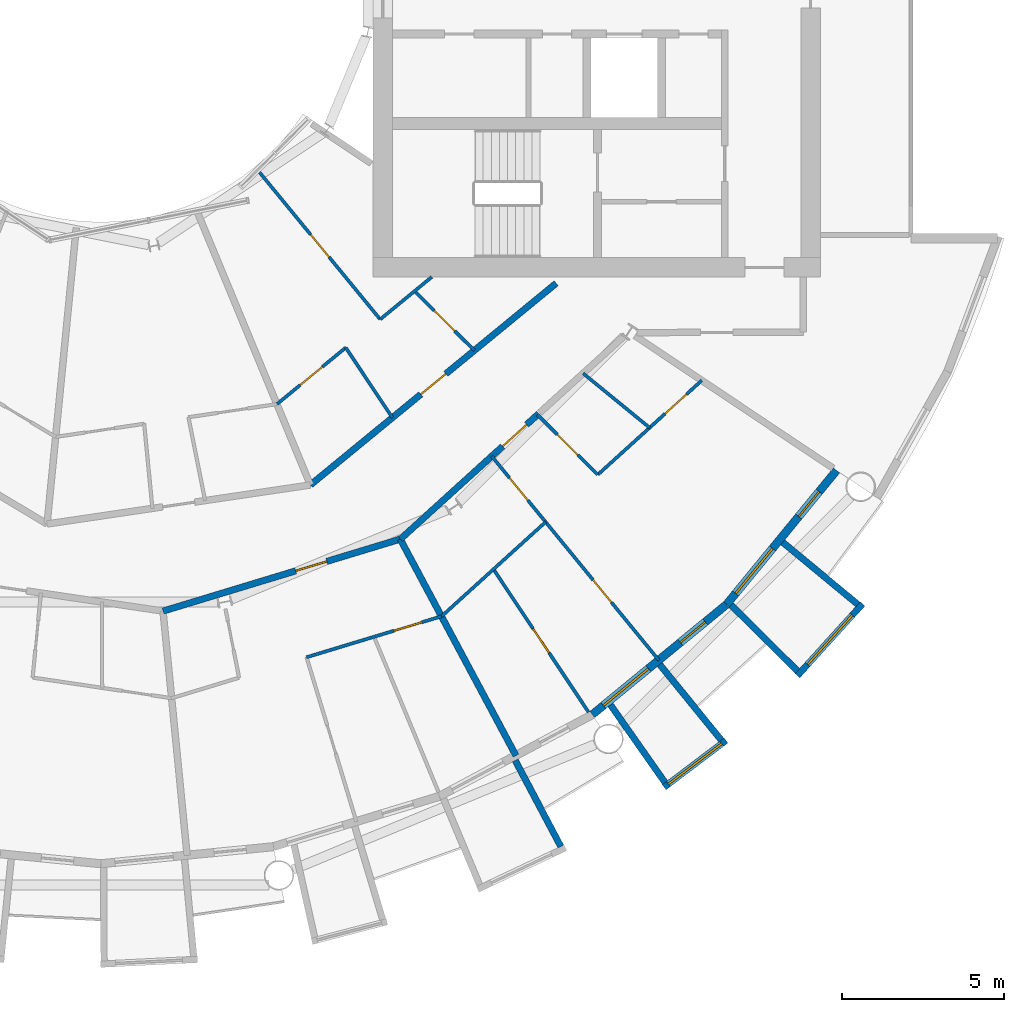
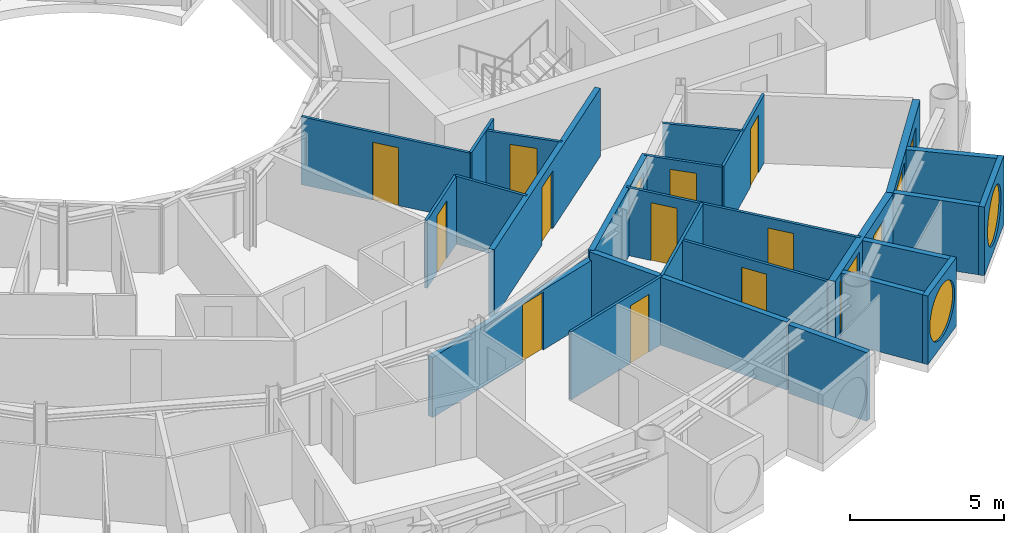
# One storey, part 17 of 28: 25 walls, 14 doors, 4 windows, 18 openings.
"""IFC4 building model written with IfcOpenShell, lengths in metres."""

import ifcopenshell
import ifcopenshell.guid

model = None  # the IFC model being written
_history = None  # IfcOwnerHistory: only IFC2X3 demands one
_inside = {}  # id of a spatial element -> (the spatial element, [elements in it])
_under = {}  # id of a project, library or spatial element -> (it, [spatial elements below it])
_declared = {}  # id of a project -> (the project, [libraries it declares])
_typed = {}  # id of a type object -> (the type object, [elements of that type])
_made_of = {}  # id of a material, layer set ... -> (it, [elements and type objects made of it])


def new_model(schema):
    """Start an empty IFC model of exactly this schema.

    Asked for "IFC4X3", IfcOpenShell would pick the latest addendum, in which some entities
    have other attributes; the version numbers below select the first issue.
    IFC2X3 requires an IfcOwnerHistory on every rooted entity: one is made here for all.
    """
    global model, _history
    if schema == "IFC4X3":
        model = ifcopenshell.file(schema_version=(4, 3, 0, 0))
    else:
        model = ifcopenshell.file(schema=schema)
    _inside.clear()
    _under.clear()
    _declared.clear()
    _typed.clear()
    _made_of.clear()
    _history = None
    if model.schema == "IFC2X3":
        org = make("IfcOrganization", Name="unknown")
        user = make(
            "IfcPersonAndOrganization",
            ThePerson=make("IfcPerson", FamilyName="unknown"),
            TheOrganization=org,
        )
        app = make(
            "IfcApplication",
            ApplicationDeveloper=org,
            Version="unknown",
            ApplicationFullName="unknown",
            ApplicationIdentifier="unknown",
        )
        _history = make(
            "IfcOwnerHistory",
            OwningUser=user,
            OwningApplication=app,
            ChangeAction="ADDED",
            CreationDate=0,
        )
    return model


def make(cls, **values):
    """One entity of the class cls with the attributes given. An attribute that is None is left unset."""
    return model.create_entity(
        cls, **{name: value for name, value in values.items() if value is not None}
    )


def rooted(cls, **values):
    """An entity with a GlobalId (a new one), such as an element, a storey or a relation."""
    return make(cls, GlobalId=ifcopenshell.guid.new(), OwnerHistory=_history, **values)


def si_unit(unit_type, name, prefix=None):
    """IfcSIUnit, for example si_unit("LENGTHUNIT", "METRE", prefix="MILLI")."""
    return make("IfcSIUnit", UnitType=unit_type, Prefix=prefix, Name=name)


def assignment(units):
    """IfcUnitAssignment: the units of a project."""
    return None if units is None else make("IfcUnitAssignment", Units=units)


def point(xyz):
    """IfcCartesianPoint."""
    return None if xyz is None else make("IfcCartesianPoint", Coordinates=xyz)


def direction(xyz):
    """IfcDirection."""
    return None if xyz is None else make("IfcDirection", DirectionRatios=xyz)


def frame(location, z_axis=None, x_axis=None):
    """IfcAxis2Placement3D, a coordinate frame: its origin and axes. An axis left out is left unset."""
    return make(
        "IfcAxis2Placement3D",
        Location=point(location),
        Axis=direction(z_axis),
        RefDirection=direction(x_axis),
    )


def frame_2d(location, x_axis=None):
    """IfcAxis2Placement2D, a coordinate frame in the plane: its origin and x axis."""
    return make(
        "IfcAxis2Placement2D", Location=point(location), RefDirection=direction(x_axis)
    )


def origin():
    """The frame at (0, 0, 0) with its axes left unset."""
    return frame((0.0, 0.0, 0.0))


def place(relative_to, where):
    """IfcLocalPlacement: puts the frame where relative to a parent placement (None: the world)."""
    return make(
        "IfcLocalPlacement", PlacementRelTo=relative_to, RelativePlacement=where
    )


def context(
    kind, dimensions, precision=None, world=None, true_north=None, identifier=None
):
    """IfcGeometricRepresentationContext, for example the 3D "Model" context."""
    return make(
        "IfcGeometricRepresentationContext",
        ContextIdentifier=identifier,
        ContextType=kind,
        CoordinateSpaceDimension=dimensions,
        Precision=precision,
        WorldCoordinateSystem=world,
        TrueNorth=true_north,
    )


def subcontext(parent, identifier, kind, view, scale=None):
    """IfcGeometricRepresentationSubContext, for example "Body" below "Model"."""
    return make(
        "IfcGeometricRepresentationSubContext",
        ContextIdentifier=identifier,
        ContextType=kind,
        ParentContext=parent,
        TargetScale=scale,
        TargetView=view,
    )


def project(units=None, contexts=None):
    """IfcProject with its units and contexts."""
    return rooted(
        "IfcProject",
        Name="project",
        RepresentationContexts=contexts,
        UnitsInContext=assignment(units),
    )


def spatial(cls, under=None, at=None, **own):
    """A site, building, storey or space (cls), placed at a placement, below another one or the project."""
    s = rooted(cls, ObjectPlacement=at, **own)
    if under is not None:
        _under.setdefault(under.id(), (under, []))[1].append(s)
    return s


def profile(cls, at=None, kind="AREA", **sizes):
    """A parametric profile (cls). Its sizes go by their IFC names, for example OverallWidth=200.0."""
    return make(cls, ProfileType=kind, Position=at, **sizes)


def rectangle(**sizes):
    """IfcRectangleProfileDef."""
    return profile("IfcRectangleProfileDef", **sizes)


def circle(**sizes):
    """IfcCircleProfileDef."""
    return profile("IfcCircleProfileDef", **sizes)


def extrude(swept, where, along, depth):
    """IfcExtrudedAreaSolid: the profile swept, set in the frame where, extruded along a direction by depth."""
    return make(
        "IfcExtrudedAreaSolid",
        SweptArea=swept,
        Position=where,
        ExtrudedDirection=direction(along),
        Depth=depth,
    )


def shape(context_of_items, identifier, shape_type, items):
    """IfcShapeRepresentation: the items that make up one representation, for example the "Body"."""
    return make(
        "IfcShapeRepresentation",
        ContextOfItems=context_of_items,
        RepresentationIdentifier=identifier,
        RepresentationType=shape_type,
        Items=items,
    )


def material(Name=None, Category=None):
    """IfcMaterial."""
    return make("IfcMaterial", Name=Name, Category=Category)


def layer(
    of_material, thickness, ventilated=None, Name=None, Category=None, Priority=None
):
    """IfcMaterialLayer: one layer of a wall or slab, of a material (None: an air gap)."""
    return make(
        "IfcMaterialLayer",
        Material=of_material,
        LayerThickness=thickness,
        IsVentilated=ventilated,
        Name=Name,
        Category=Category,
        Priority=Priority,
    )


def layer_set(layers, Name=None):
    """IfcMaterialLayerSet."""
    return make("IfcMaterialLayerSet", MaterialLayers=layers, LayerSetName=Name)


def made_of(thing, what):
    """Note that an element or type object is made of a material, layer set ...; save() writes the relation."""
    if what is not None:
        _made_of.setdefault(what.id(), (what, []))[1].append(thing)
    return thing


def type_object(cls, material=None, **own):
    """A type object (cls), such as IfcWallType, which elements share."""
    return made_of(rooted(cls, **own), material)


def element(
    cls,
    number,
    at=None,
    inside=None,
    cuts=None,
    type_object=None,
    material=None,
    context=None,
    identifier="Body",
    shape_type=None,
    held_by="IfcProductDefinitionShape",
    body=None,
    shapes=None,
    **own,
):
    """One element of the class cls, such as IfcWall. Its Tag is "e" and its number.

    at: its placement. inside: the storey or other place that contains it. cuts: it is an
    opening in that element (IfcRelVoidsElement). A single representation is given by context,
    identifier, shape_type and body (its items); several are given by shapes. held_by: the class
    of the entity that holds the representations. save() writes the other relations.
    """
    e = rooted(cls, Tag="e%d" % number, ObjectPlacement=at, **own)
    if body is not None:
        shapes = [shape(context, identifier, shape_type, body)]
    if shapes is not None:
        e.Representation = make(held_by, Representations=shapes)
    if inside is not None:
        _inside.setdefault(inside.id(), (inside, []))[1].append(e)
    if cuts is not None:
        rooted(
            "IfcRelVoidsElement", RelatingBuildingElement=cuts, RelatedOpeningElement=e
        )
    if type_object is not None:
        _typed.setdefault(type_object.id(), (type_object, []))[1].append(e)
    return made_of(e, material)


def fill(opening, filler):
    """IfcRelFillsElement: the door or window that sits in an opening."""
    return rooted(
        "IfcRelFillsElement",
        RelatingOpeningElement=opening,
        RelatedBuildingElement=filler,
    )


def aggregate(whole, parts):
    """IfcRelAggregates: a whole, such as a stair, and the parts it consists of."""
    return rooted("IfcRelAggregates", RelatingObject=whole, RelatedObjects=parts)


def save(model, path):
    """Write the relations noted so far, then the file.

    IfcRelAggregates (storeys below a building ...), IfcRelContainedInSpatialStructure (elements
    in a storey), IfcRelDefinesByType, IfcRelAssociatesMaterial and IfcRelDeclares: one each for
    every whole, place, type object, material and project.
    """
    for whole, parts in _under.values():
        aggregate(whole, parts)
    for where, things in _inside.values():
        rooted(
            "IfcRelContainedInSpatialStructure",
            RelatedElements=things,
            RelatingStructure=where,
        )
    for kind, things in _typed.values():
        rooted("IfcRelDefinesByType", RelatedObjects=things, RelatingType=kind)
    for what, things in _made_of.values():
        rooted("IfcRelAssociatesMaterial", RelatedObjects=things, RelatingMaterial=what)
    for by, libraries in _declared.values():
        rooted("IfcRelDeclares", RelatingContext=by, RelatedDefinitions=libraries)
    model.write(path)


model = new_model("IFC4")

# Units and contexts
model_context = context("Model", 3, precision=1e-05, world=origin(), true_north=direction((0.0, 1.0)))
body_context = subcontext(model_context, "Body", "Model", "MODEL_VIEW")
ifc_project = project(units=[si_unit("LENGTHUNIT", "METRE"), si_unit("AREAUNIT", "SQUARE_METRE"), si_unit("VOLUMEUNIT", "CUBIC_METRE"), si_unit("PLANEANGLEUNIT", "RADIAN"), si_unit("MASSUNIT", "GRAM", prefix="KILO")], contexts=[model_context])

# Site, building, storey
site_placement = place(None, origin())
site = spatial("IfcSite", under=ifc_project, at=site_placement, CompositionType="ELEMENT")
building_placement = place(site_placement, origin())
building = spatial("IfcBuilding", under=site, at=building_placement, Name="Maasbend Ring Residences", CompositionType="ELEMENT")
storey_placement = place(building_placement, frame((0.0, 0.0, 129.949951171875)))
storey = spatial("IfcBuildingStorey", under=building, at=storey_placement, Name="L37", CompositionType="ELEMENT", Elevation=129.949951171875)

# Wall, opening, door
ifc_material_1 = material(Name="Concrete C30/37", Category="concrete")
ifc_layer_1 = layer(ifc_material_1, 0.199951171875)
ifc_layer_set_1 = layer_set([ifc_layer_1], Name="Concrete C30/37")
wall_type_1 = type_object("IfcWallType", Name="CORRIDOR WALL 200 CONCRETE", PredefinedType="PARTITIONING", material=ifc_layer_set_1)
wall_1_placement = place(storey_placement, frame((1.9208984375, -19.506103515625, 0.0), z_axis=(0.0, 0.0, 1.0), x_axis=(0.956929842753, 0.290319265721, 0.0)))
wall_1 = element("IfcWall", 1, at=wall_1_placement, inside=storey, type_object=wall_type_1, Name="U-L37-w011", PredefinedType="PARTITIONING", context=body_context, shape_type="SweptSolid", body=[
    extrude(rectangle(XDim=7.6474609375, YDim=0.199951171875, at=frame_2d((3.82373046875, 0.0))), origin(), (0.0, 0.0, 1.0), 2.39013671875),
])
opening_1_placement = place(wall_1_placement, frame((4.280029296875, 0.0, 0.0)))
opening_1 = element("IfcOpeningElement", 2, at=opening_1_placement, cuts=wall_1, Name="Opening D-3749", PredefinedType="OPENING", context=body_context, shape_type="SweptSolid", body=[
    extrude(rectangle(XDim=1.0, YDim=2.300048828125, at=frame_2d((0.5, 1.14990234375))), frame((0.0, 0.10986328125, 0.0), z_axis=(0.0, -1.0, 0.0), x_axis=(1.0, 0.0, 0.0)), (0.0, 0.0, 1.0), 0.219970703125),
])
ifc_material_2 = material(Name="Timber, fire-rated, painted", Category="wood")
door_type_1 = type_object("IfcDoorType", Name="FLAT ENTRANCE DOOR 1000 X 2300 FIRE-RATED", OperationType="NOTDEFINED", PredefinedType="DOOR", material=ifc_material_2)
door_1_placement = place(opening_1_placement, origin())
door_1 = element("IfcDoor", 3, at=door_1_placement, inside=storey, type_object=door_type_1, Name="D-3749", OperationType="SINGLE_SWING_RIGHT", OverallHeight=2.300048828125, OverallWidth=1.0, PredefinedType="DOOR", context=body_context, shape_type="SweptSolid", body=[
    extrude(rectangle(XDim=1.0, YDim=2.300048828125, at=frame_2d((0.5, 1.14990234375))), frame((0.0, 0.02490234375, 0.0), z_axis=(0.0, -1.0, 0.0), x_axis=(1.0, 0.0, 0.0)), (0.0, 0.0, 1.0), 0.050048828125),
])
fill(opening_1, door_1)

wall_2_placement = place(storey_placement, frame((9.2490234375, -17.281982421875, 0.0), z_axis=(0.0, 0.0, 1.0), x_axis=(0.740525495356, 0.672028266316, 0.0)))
wall_2 = element("IfcWall", 4, at=wall_2_placement, inside=storey, type_object=wall_type_1, Name="U-L37-w013", PredefinedType="PARTITIONING", context=body_context, shape_type="SweptSolid", body=[
    extrude(rectangle(XDim=5.752685546875, YDim=0.199951171875, at=frame_2d((2.87646484375, 0.0))), origin(), (0.0, 0.0, 1.0), 2.699951171875),
])
opening_2_placement = place(wall_2_placement, frame((4.2529296875, 0.0, 0.0)))
opening_2 = element("IfcOpeningElement", 5, at=opening_2_placement, cuts=wall_2, Name="Opening D-3753", PredefinedType="OPENING", context=body_context, shape_type="SweptSolid", body=[
    extrude(rectangle(XDim=1.0, YDim=2.300048828125, at=frame_2d((0.5, 1.14990234375))), frame((0.0, 0.10986328125, 0.0), z_axis=(0.0, -1.0, 0.0), x_axis=(1.0, 0.0, 0.0)), (0.0, 0.0, 1.0), 0.219970703125),
])
door_2_placement = place(opening_2_placement, origin())
door_2 = element("IfcDoor", 6, at=door_2_placement, inside=storey, type_object=door_type_1, Name="D-3753", OperationType="SINGLE_SWING_RIGHT", OverallHeight=2.300048828125, OverallWidth=1.0, PredefinedType="DOOR", context=body_context, shape_type="SweptSolid", body=[
    extrude(rectangle(XDim=1.0, YDim=2.300048828125, at=frame_2d((0.5, 1.14990234375))), frame((0.0, 0.02490234375, 0.0), z_axis=(0.0, -1.0, 0.0), x_axis=(1.0, 0.0, 0.0)), (0.0, 0.0, 1.0), 0.050048828125),
])
fill(opening_2, door_2)

wall_3_placement = place(storey_placement, frame((6.467041015625, -15.614013671875, 0.0), z_axis=(0.0, 0.0, 1.0), x_axis=(0.773074935257, 0.634314704605, 0.0)))
wall_3 = element("IfcWall", 7, at=wall_3_placement, inside=storey, type_object=wall_type_1, Name="U-L37-w017", PredefinedType="PARTITIONING", context=body_context, shape_type="SweptSolid", body=[
    extrude(rectangle(XDim=9.808837890625, YDim=0.199951171875, at=frame_2d((4.904296875, 0.0))), origin(), (0.0, 0.0, 1.0), 2.699951171875),
])
opening_3_placement = place(wall_3_placement, frame((4.406982421875, 0.0, 0.0)))
opening_3 = element("IfcOpeningElement", 8, at=opening_3_placement, cuts=wall_3, Name="Opening D-3767", PredefinedType="OPENING", context=body_context, shape_type="SweptSolid", body=[
    extrude(rectangle(XDim=1.0, YDim=2.300048828125, at=frame_2d((0.5, 1.14990234375))), frame((0.0, 0.10986328125, 0.0), z_axis=(0.0, -1.0, 0.0), x_axis=(1.0, 0.0, 0.0)), (0.0, 0.0, 1.0), 0.219970703125),
])
door_3_placement = place(opening_3_placement, origin())
door_3 = element("IfcDoor", 9, at=door_3_placement, inside=storey, type_object=door_type_1, Name="D-3767", OperationType="SINGLE_SWING_RIGHT", OverallHeight=2.300048828125, OverallWidth=1.0, PredefinedType="DOOR", context=body_context, shape_type="SweptSolid", body=[
    extrude(rectangle(XDim=1.0, YDim=2.300048828125, at=frame_2d((0.5, 1.14990234375))), frame((0.0, 0.02490234375, 0.0), z_axis=(0.0, -1.0, 0.0), x_axis=(1.0, 0.0, 0.0)), (0.0, 0.0, 1.0), 0.050048828125),
])
fill(opening_3, door_3)

# Wall
ifc_material_3 = material(Name="Pale anodised aluminium panel", Category="aluminium")
ifc_layer_2 = layer(ifc_material_3, 0.199951171875)
ifc_layer_set_2 = layer_set([ifc_layer_2], Name="EW-BOX")
wall_type_2 = type_object("IfcWallType", Name="EW-BOX", PredefinedType="SOLIDWALL", material=ifc_layer_set_2)
wall_4_placement = place(storey_placement, frame((12.787109375, -24.113037109375, -0.030029296875), z_axis=(0.0, 0.0, 1.0), x_axis=(0.468365282436, -0.883534924159, 0.0)))
element("IfcWall", 10, at=wall_4_placement, inside=storey, type_object=wall_type_2, Name="Box side wall S15 right", PredefinedType="SOLIDWALL", context=body_context, shape_type="SweptSolid", body=[
    extrude(rectangle(XDim=3.006103515625, YDim=0.199951171875, at=frame_2d((1.5029296875, 0.0))), origin(), (0.0, 0.0, 1.0), 2.72998046875),
])

# Wall, opening, window
wall_5_placement = place(storey_placement, frame((17.382080078125, -24.93994140625, -0.030029296875), z_axis=(0.0, 0.0, 1.0), x_axis=(0.797456837111, 0.603375996329, 0.0)))
wall_5 = element("IfcWall", 11, at=wall_5_placement, inside=storey, type_object=wall_type_2, Name="Box front S17", PredefinedType="SOLIDWALL", context=body_context, shape_type="SweptSolid", body=[
    extrude(rectangle(XDim=2.391357421875, YDim=0.199951171875, at=frame_2d((1.19580078125, 0.0))), origin(), (0.0, 0.0, 1.0), 2.72998046875),
])
opening_4_placement = place(wall_5_placement, frame((0.15576171875, 0.0, 0.330078125)))
opening_4 = element("IfcOpeningElement", 12, at=opening_4_placement, cuts=wall_5, Name="Opening W-RD", PredefinedType="OPENING", context=body_context, shape_type="SweptSolid", body=[
    extrude(circle(Radius=1.0400390625, at=frame_2d((1.0400390625, 1.0400390625))), frame((0.0, 0.10986328125, 0.0), z_axis=(0.0, -1.0, 0.0), x_axis=(1.0, 0.0, 0.0)), (0.0, 0.0, 1.0), 0.219970703125),
])
ifc_material_4 = material(Name="Aluminium and clear glass", Category="aluminium")
window_type_1 = type_object("IfcWindowType", Name="W-RD", PartitioningType="SINGLE_PANEL", PredefinedType="WINDOW", material=ifc_material_4)
window_1_placement = place(opening_4_placement, origin())
window_1 = element("IfcWindow", 13, at=window_1_placement, inside=storey, type_object=window_type_1, Name="Round window S17", OverallHeight=2.080078125, OverallWidth=2.080078125, PartitioningType="SINGLE_PANEL", PredefinedType="WINDOW", context=body_context, shape_type="SweptSolid", body=[
    extrude(circle(Radius=1.0400390625, at=frame_2d((1.0400390625, 1.0400390625))), frame((0.0, 0.030029296875, 0.0), z_axis=(0.0, -1.0, 0.0), x_axis=(1.0, 0.0, 0.0)), (0.0, 0.0, 1.0), 0.06005859375),
])
fill(opening_4, window_1)

# Walls
wall_6_placement = place(storey_placement, frame((15.72607421875, -22.402099609375, -0.030029296875), z_axis=(0.0, 0.0, 1.0), x_axis=(0.574826383135, -0.818275399393, 0.0)))
element("IfcWall", 14, at=wall_6_placement, inside=storey, type_object=wall_type_2, Name="Box side wall S17 left", PredefinedType="SOLIDWALL", context=body_context, shape_type="SweptSolid", body=[
    extrude(rectangle(XDim=2.92919921875, YDim=0.199951171875, at=frame_2d((1.464599609375, 0.0))), origin(), (0.0, 0.0, 1.0), 2.72998046875),
])
wall_7_placement = place(storey_placement, frame((17.24609375, -21.155029296875, -0.030029296875), z_axis=(0.0, 0.0, 1.0), x_axis=(0.631741648902, -0.775179004516, 0.0)))
element("IfcWall", 15, at=wall_7_placement, inside=storey, type_object=wall_type_2, Name="Box side wall S17 right", PredefinedType="SOLIDWALL", context=body_context, shape_type="SweptSolid", body=[
    extrude(rectangle(XDim=3.005859375, YDim=0.199951171875, at=frame_2d((1.5029296875, 0.0))), origin(), (0.0, 0.0, 1.0), 2.72998046875),
])

# Wall, opening, window
wall_8_placement = place(storey_placement, frame((21.492919921875, -21.5, -0.030029296875), z_axis=(0.0, 0.0, 1.0), x_axis=(0.671506829416, 0.740998365753, 0.0)))
wall_8 = element("IfcWall", 16, at=wall_8_placement, inside=storey, type_object=wall_type_2, Name="Box front S19", PredefinedType="SOLIDWALL", context=body_context, shape_type="SweptSolid", body=[
    extrude(rectangle(XDim=2.9931640625, YDim=0.199951171875, at=frame_2d((1.49658203125, 0.0))), origin(), (0.0, 0.0, 1.0), 2.72998046875),
])
opening_5_placement = place(wall_8_placement, frame((0.45654296875, 0.0, 0.330078125)))
opening_5 = element("IfcOpeningElement", 17, at=opening_5_placement, cuts=wall_8, Name="Opening W-RD", PredefinedType="OPENING", context=body_context, shape_type="SweptSolid", body=[
    extrude(circle(Radius=1.0400390625, at=frame_2d((1.0400390625, 1.0400390625))), frame((0.0, 0.10986328125, 0.0), z_axis=(0.0, -1.0, 0.0), x_axis=(1.0, 0.0, 0.0)), (0.0, 0.0, 1.0), 0.219970703125),
])
window_2_placement = place(opening_5_placement, origin())
window_2 = element("IfcWindow", 18, at=window_2_placement, inside=storey, type_object=window_type_1, Name="Round window S19", OverallHeight=2.080078125, OverallWidth=2.080078125, PartitioningType="SINGLE_PANEL", PredefinedType="WINDOW", context=body_context, shape_type="SweptSolid", body=[
    extrude(circle(Radius=1.0400390625, at=frame_2d((1.0400390625, 1.0400390625))), frame((0.0, 0.030029296875, 0.0), z_axis=(0.0, -1.0, 0.0), x_axis=(1.0, 0.0, 0.0)), (0.0, 0.0, 1.0), 0.06005859375),
])
fill(opening_5, window_2)

# Walls
wall_9_placement = place(storey_placement, frame((19.449951171875, -19.322998046875, -0.030029296875), z_axis=(0.0, 0.0, 1.0), x_axis=(0.709727076896, -0.704476739375, 0.0)))
element("IfcWall", 19, at=wall_9_placement, inside=storey, type_object=wall_type_2, Name="Box side wall S19 left", PredefinedType="SOLIDWALL", context=body_context, shape_type="SweptSolid", body=[
    extrude(rectangle(XDim=2.883056640625, YDim=0.199951171875, at=frame_2d((1.44140625, 0.0))), origin(), (0.0, 0.0, 1.0), 2.72998046875),
])
wall_10_placement = place(storey_placement, frame((21.041015625, -17.384033203125, -0.030029296875), z_axis=(0.0, 0.0, 1.0), x_axis=(0.770784861449, -0.63709551667, 0.0)))
element("IfcWall", 20, at=wall_10_placement, inside=storey, type_object=wall_type_2, Name="Box side wall S19 right", PredefinedType="SOLIDWALL", context=body_context, shape_type="SweptSolid", body=[
    extrude(rectangle(XDim=3.005859375, YDim=0.199951171875, at=frame_2d((1.5029296875, 0.0))), origin(), (0.0, 0.0, 1.0), 2.72998046875),
])

# Wall, openings, door, window
ifc_material_5 = material(Name="Aluminium clad insulated panel", Category="aluminium")
ifc_layer_3 = layer(ifc_material_5, 0.25)
ifc_layer_set_3 = layer_set([ifc_layer_3], Name="EW-GL")
wall_type_3 = type_object("IfcWallType", Name="EW-GL", PredefinedType="SOLIDWALL", material=ifc_layer_set_3)
wall_11_placement = place(storey_placement, frame((15.1669921875, -22.698974609375, 0.0), z_axis=(0.0, 0.0, 1.0), x_axis=(0.773019449054, 0.634382322723, 0.0)))
wall_11 = element("IfcWall", 21, at=wall_11_placement, inside=storey, type_object=wall_type_3, Name="External wall S09", PredefinedType="SOLIDWALL", context=body_context, shape_type="SweptSolid", body=[
    extrude(rectangle(XDim=5.351806640625, YDim=0.25, at=frame_2d((2.67578125, 0.0))), origin(), (0.0, 0.0, 1.0), 2.699951171875),
])
opening_6_placement = place(wall_11_placement, frame((0.441162109375, 0.0, 0.300048828125)))
opening_6 = element("IfcOpeningElement", 22, at=opening_6_placement, cuts=wall_11, Name="Opening W-BX", PredefinedType="OPENING", context=body_context, shape_type="SweptSolid", body=[
    extrude(rectangle(XDim=1.800048828125, YDim=2.10009765625, at=frame_2d((0.89990234375, 1.050048828125))), frame((0.0, 0.135009765625, 0.0), z_axis=(0.0, -1.0, 0.0), x_axis=(1.0, 0.0, 0.0)), (0.0, 0.0, 1.0), 0.27001953125),
])
opening_7_placement = place(wall_11_placement, frame((3.510498046875, 0.0, 0.0)))
opening_7 = element("IfcOpeningElement", 23, at=opening_7_placement, cuts=wall_11, Name="Opening D-LG", PredefinedType="OPENING", context=body_context, shape_type="SweptSolid", body=[
    extrude(rectangle(XDim=1.0, YDim=2.199951171875, at=frame_2d((0.5, 1.10009765625))), frame((0.0, 0.135009765625, 0.0), z_axis=(0.0, -1.0, 0.0), x_axis=(1.0, 0.0, 0.0)), (0.0, 0.0, 1.0), 0.27001953125),
])
ifc_material_6 = material(Name="Aluminium and clear glass", Category="aluminium")
door_type_2 = type_object("IfcDoorType", Name="D-LG", OperationType="SINGLE_SWING_LEFT", PredefinedType="DOOR", material=ifc_material_6)
door_4_placement = place(opening_7_placement, origin())
door_4 = element("IfcDoor", 24, at=door_4_placement, inside=storey, type_object=door_type_2, Name="Loggia door S18", OperationType="SINGLE_SWING_LEFT", OverallHeight=2.199951171875, OverallWidth=1.0, PredefinedType="DOOR", context=body_context, shape_type="SweptSolid", body=[
    extrude(rectangle(XDim=1.0, YDim=2.199951171875, at=frame_2d((0.5, 1.10009765625))), frame((0.0, 0.02490234375, 0.0), z_axis=(0.0, -1.0, 0.0), x_axis=(1.0, 0.0, 0.0)), (0.0, 0.0, 1.0), 0.050048828125),
])
fill(opening_7, door_4)
ifc_material_7 = material(Name="Aluminium and clear glass", Category="aluminium")
window_type_2 = type_object("IfcWindowType", Name="W-BX", PartitioningType="DOUBLE_PANEL_VERTICAL", PredefinedType="WINDOW", material=ifc_material_7)
window_3_placement = place(opening_6_placement, origin())
window_3 = element("IfcWindow", 25, at=window_3_placement, inside=storey, type_object=window_type_2, Name="Window S17 room to box", OverallHeight=2.10009765625, OverallWidth=1.800048828125, PartitioningType="SINGLE_PANEL", PredefinedType="WINDOW", context=body_context, shape_type="SweptSolid", body=[
    extrude(rectangle(XDim=1.800048828125, YDim=2.10009765625, at=frame_2d((0.89990234375, 1.050048828125))), frame((0.0, 0.030029296875, 0.0), z_axis=(0.0, -1.0, 0.0), x_axis=(1.0, 0.0, 0.0)), (0.0, 0.0, 1.0), 0.06005859375),
])
fill(opening_6, window_3)

wall_12_placement = place(storey_placement, frame((19.303955078125, -19.303955078125, 0.0), z_axis=(0.0, 0.0, 1.0), x_axis=(0.634382322723, 0.773019449054, 0.0)))
wall_12 = element("IfcWall", 26, at=wall_12_placement, inside=storey, type_object=wall_type_3, Name="External wall S10", PredefinedType="SOLIDWALL", context=body_context, shape_type="SweptSolid", body=[
    extrude(rectangle(XDim=5.351806640625, YDim=0.25, at=frame_2d((2.67578125, 0.0))), origin(), (0.0, 0.0, 1.0), 2.699951171875),
])
opening_8_placement = place(wall_12_placement, frame((0.441162109375, 0.0, 0.300048828125)))
opening_8 = element("IfcOpeningElement", 27, at=opening_8_placement, cuts=wall_12, Name="Opening W-BX", PredefinedType="OPENING", context=body_context, shape_type="SweptSolid", body=[
    extrude(rectangle(XDim=1.800048828125, YDim=2.10009765625, at=frame_2d((0.89990234375, 1.050048828125))), frame((0.0, 0.135009765625, 0.0), z_axis=(0.0, -1.0, 0.0), x_axis=(1.0, 0.0, 0.0)), (0.0, 0.0, 1.0), 0.27001953125),
])
opening_9_placement = place(wall_12_placement, frame((3.510498046875, 0.0, 0.0)))
opening_9 = element("IfcOpeningElement", 28, at=opening_9_placement, cuts=wall_12, Name="Opening D-LG", PredefinedType="OPENING", context=body_context, shape_type="SweptSolid", body=[
    extrude(rectangle(XDim=1.0, YDim=2.199951171875, at=frame_2d((0.5, 1.10009765625))), frame((0.0, 0.135009765625, 0.0), z_axis=(0.0, -1.0, 0.0), x_axis=(1.0, 0.0, 0.0)), (0.0, 0.0, 1.0), 0.27001953125),
])
door_5_placement = place(opening_9_placement, origin())
door_5 = element("IfcDoor", 29, at=door_5_placement, inside=storey, type_object=door_type_2, Name="Loggia door S20", OperationType="SINGLE_SWING_LEFT", OverallHeight=2.199951171875, OverallWidth=1.0, PredefinedType="DOOR", context=body_context, shape_type="SweptSolid", body=[
    extrude(rectangle(XDim=1.0, YDim=2.199951171875, at=frame_2d((0.5, 1.10009765625))), frame((0.0, 0.02490234375, 0.0), z_axis=(0.0, -1.0, 0.0), x_axis=(1.0, 0.0, 0.0)), (0.0, 0.0, 1.0), 0.050048828125),
])
fill(opening_9, door_5)
window_4_placement = place(opening_8_placement, origin())
window_4 = element("IfcWindow", 30, at=window_4_placement, inside=storey, type_object=window_type_2, Name="Window S19 room to box", OverallHeight=2.10009765625, OverallWidth=1.800048828125, PartitioningType="SINGLE_PANEL", PredefinedType="WINDOW", context=body_context, shape_type="SweptSolid", body=[
    extrude(rectangle(XDim=1.800048828125, YDim=2.10009765625, at=frame_2d((0.89990234375, 1.050048828125))), frame((0.0, 0.030029296875, 0.0), z_axis=(0.0, -1.0, 0.0), x_axis=(1.0, 0.0, 0.0)), (0.0, 0.0, 1.0), 0.06005859375),
])
fill(opening_8, window_4)

# Wall, opening, door
ifc_material_8 = material(Name="Gypsum board on steel studs", Category="steel")
ifc_layer_4 = layer(ifc_material_8, 0.10009765625)
ifc_layer_set_4 = layer_set([ifc_layer_4], Name="PARTITION 100 GYPSUM")
wall_type_4 = type_object("IfcWallType", Name="PARTITION 100 GYPSUM", PredefinedType="PARTITIONING", material=ifc_layer_set_4)
wall_13_placement = place(storey_placement, frame((6.345947265625, -20.930908203125, 0.0), z_axis=(0.0, 0.0, 1.0), x_axis=(0.956923957423, 0.290338663821, 0.0)))
wall_13 = element("IfcWall", 31, at=wall_13_placement, inside=storey, type_object=wall_type_4, Name="U-L37-w002", PredefinedType="PARTITIONING", context=body_context, shape_type="SweptSolid", body=[
    extrude(rectangle(XDim=4.356689453125, YDim=0.10009765625, at=frame_2d((2.17822265625, 0.0))), origin(), (0.0, 0.0, 1.0), 2.699951171875),
])
opening_10_placement = place(wall_13_placement, frame((2.818115234375, 0.0, 0.0)))
opening_10 = element("IfcOpeningElement", 32, at=opening_10_placement, cuts=wall_13, Name="Opening D-3752", PredefinedType="OPENING", context=body_context, shape_type="SweptSolid", body=[
    extrude(rectangle(XDim=0.89990234375, YDim=2.300048828125, at=frame_2d((0.449951171875, 1.14990234375))), frame((0.0, 0.06005859375, 0.0), z_axis=(0.0, -1.0, 0.0), x_axis=(1.0, 0.0, 0.0)), (0.0, 0.0, 1.0), 0.1201171875),
])
ifc_material_9 = material(Name="Timber, painted", Category="wood")
door_type_3 = type_object("IfcDoorType", Name="INTERNAL DOOR 900 X 2300", OperationType="NOTDEFINED", PredefinedType="DOOR", material=ifc_material_9)
door_6_placement = place(opening_10_placement, origin())
door_6 = element("IfcDoor", 33, at=door_6_placement, inside=storey, type_object=door_type_3, Name="D-3752", OperationType="SINGLE_SWING_RIGHT", OverallHeight=2.300048828125, OverallWidth=0.89990234375, PredefinedType="DOOR", context=body_context, shape_type="SweptSolid", body=[
    extrude(rectangle(XDim=0.89990234375, YDim=2.300048828125, at=frame_2d((0.449951171875, 1.14990234375))), frame((0.0, 0.02490234375, 0.0), z_axis=(0.0, -1.0, 0.0), x_axis=(1.0, 0.0, 0.0)), (0.0, 0.0, 1.0), 0.050048828125),
])
fill(opening_10, door_6)

# Wall
wall_14_placement = place(storey_placement, frame((10.512939453125, -19.66796875, 0.0), z_axis=(0.0, 0.0, 1.0), x_axis=(0.74092137325, 0.671591779775, 0.0)))
element("IfcWall", 34, at=wall_14_placement, inside=storey, type_object=wall_type_4, Name="U-L37-w007", PredefinedType="PARTITIONING", context=body_context, shape_type="SweptSolid", body=[
    extrude(rectangle(XDim=4.342041015625, YDim=0.10009765625, at=frame_2d((2.1708984375, 0.0))), origin(), (0.0, 0.0, 1.0), 2.699951171875),
])

# Wall, opening, door
wall_15_placement = place(storey_placement, frame((15.3359375, -15.2958984375, 0.0), z_axis=(0.0, 0.0, 1.0), x_axis=(0.740895789277, 0.671620003746, 0.0)))
wall_15 = element("IfcWall", 35, at=wall_15_placement, inside=storey, type_object=wall_type_4, Name="U-L37-w008", PredefinedType="PARTITIONING", context=body_context, shape_type="SweptSolid", body=[
    extrude(rectangle(XDim=4.331298828125, YDim=0.10009765625, at=frame_2d((2.16552734375, 0.0))), origin(), (0.0, 0.0, 1.0), 2.699951171875),
])
opening_11_placement = place(wall_15_placement, frame((2.7958984375, 0.0, 0.0)))
opening_11 = element("IfcOpeningElement", 36, at=opening_11_placement, cuts=wall_15, Name="Opening D-3754", PredefinedType="OPENING", context=body_context, shape_type="SweptSolid", body=[
    extrude(rectangle(XDim=0.89990234375, YDim=2.300048828125, at=frame_2d((0.449951171875, 1.14990234375))), frame((0.0, 0.06005859375, 0.0), z_axis=(0.0, -1.0, 0.0), x_axis=(1.0, 0.0, 0.0)), (0.0, 0.0, 1.0), 0.1201171875),
])
door_7_placement = place(opening_11_placement, origin())
door_7 = element("IfcDoor", 37, at=door_7_placement, inside=storey, type_object=door_type_3, Name="D-3754", OperationType="SINGLE_SWING_RIGHT", OverallHeight=2.300048828125, OverallWidth=0.89990234375, PredefinedType="DOOR", context=body_context, shape_type="SweptSolid", body=[
    extrude(rectangle(XDim=0.89990234375, YDim=2.300048828125, at=frame_2d((0.449951171875, 1.14990234375))), frame((0.0, 0.02490234375, 0.0), z_axis=(0.0, -1.0, 0.0), x_axis=(1.0, 0.0, 0.0)), (0.0, 0.0, 1.0), 0.050048828125),
])
fill(opening_11, door_7)

wall_16_placement = place(storey_placement, frame((5.43994140625, -13.116943359375, 0.0), z_axis=(0.0, 0.0, 1.0), x_axis=(0.772732480827, 0.634731843439, 0.0)))
wall_16 = element("IfcWall", 38, at=wall_16_placement, inside=storey, type_object=wall_type_4, Name="U-L37-w021", PredefinedType="PARTITIONING", context=body_context, shape_type="SweptSolid", body=[
    extrude(rectangle(XDim=2.74755859375, YDim=0.10009765625, at=frame_2d((1.373779296875, 0.0))), origin(), (0.0, 0.0, 1.0), 2.699951171875),
])
opening_12_placement = place(wall_16_placement, frame((0.91796875, 0.0, 0.0)))
opening_12 = element("IfcOpeningElement", 39, at=opening_12_placement, cuts=wall_16, Name="Opening D-3768", PredefinedType="OPENING", context=body_context, shape_type="SweptSolid", body=[
    extrude(rectangle(XDim=0.89990234375, YDim=2.300048828125, at=frame_2d((0.449951171875, 1.14990234375))), frame((0.0, 0.06005859375, 0.0), z_axis=(0.0, -1.0, 0.0), x_axis=(1.0, 0.0, 0.0)), (0.0, 0.0, 1.0), 0.1201171875),
])
door_8_placement = place(opening_12_placement, origin())
door_8 = element("IfcDoor", 40, at=door_8_placement, inside=storey, type_object=door_type_3, Name="D-3768", OperationType="SINGLE_SWING_LEFT", OverallHeight=2.300048828125, OverallWidth=0.89990234375, PredefinedType="DOOR", context=body_context, shape_type="SweptSolid", body=[
    extrude(rectangle(XDim=0.89990234375, YDim=2.300048828125, at=frame_2d((0.449951171875, 1.14990234375))), frame((0.0, 0.02490234375, 0.0), z_axis=(0.0, -1.0, 0.0), x_axis=(1.0, 0.0, 0.0)), (0.0, 0.0, 1.0), 0.050048828125),
])
fill(opening_12, door_8)

# Wall
wall_17_placement = place(storey_placement, frame((8.625, -10.5009765625, 0.0), z_axis=(0.0, 0.0, 1.0), x_axis=(0.772817828959, 0.634627925042, 0.0)))
element("IfcWall", 41, at=wall_17_placement, inside=storey, type_object=wall_type_4, Name="U-L37-w022", PredefinedType="PARTITIONING", context=body_context, shape_type="SweptSolid", body=[
    extrude(rectangle(XDim=2.0546875, YDim=0.10009765625, at=frame_2d((1.02734375, 0.0))), origin(), (0.0, 0.0, 1.0), 2.699951171875),
])

# Wall, opening, door
wall_18_placement = place(storey_placement, frame((4.89794921875, -5.968017578125, 0.0), z_axis=(0.0, 0.0, 1.0), x_axis=(0.634358693064, -0.773038840249, 0.0)))
wall_18 = element("IfcWall", 42, at=wall_18_placement, inside=storey, type_object=wall_type_4, Name="U-L37-w074", PredefinedType="PARTITIONING", context=body_context, shape_type="SweptSolid", body=[
    extrude(rectangle(XDim=5.86767578125, YDim=0.10009765625, at=frame_2d((2.933837890625, 0.0))), origin(), (0.0, 0.0, 1.0), 2.699951171875),
])
opening_13_placement = place(wall_18_placement, frame((2.48388671875, 0.0, 0.0)))
opening_13 = element("IfcOpeningElement", 43, at=opening_13_placement, cuts=wall_18, Name="Opening D-3770", PredefinedType="OPENING", context=body_context, shape_type="SweptSolid", body=[
    extrude(rectangle(XDim=0.89990234375, YDim=2.300048828125, at=frame_2d((0.449951171875, 1.14990234375))), frame((0.0, 0.06005859375, 0.0), z_axis=(0.0, -1.0, 0.0), x_axis=(1.0, 0.0, 0.0)), (0.0, 0.0, 1.0), 0.1201171875),
])
door_9_placement = place(opening_13_placement, origin())
door_9 = element("IfcDoor", 44, at=door_9_placement, inside=storey, type_object=door_type_3, Name="D-3770", OperationType="SINGLE_SWING_LEFT", OverallHeight=2.300048828125, OverallWidth=0.89990234375, PredefinedType="DOOR", context=body_context, shape_type="SweptSolid", body=[
    extrude(rectangle(XDim=0.89990234375, YDim=2.300048828125, at=frame_2d((0.449951171875, 1.14990234375))), frame((0.0, 0.02490234375, 0.0), z_axis=(0.0, -1.0, 0.0), x_axis=(1.0, 0.0, 0.0)), (0.0, 0.0, 1.0), 0.050048828125),
])
fill(opening_13, door_9)

# Wall
wall_19_placement = place(storey_placement, frame((7.55810546875, -11.3759765625, 0.0), z_axis=(0.0, 0.0, 1.0), x_axis=(0.553615197403, -0.83277260594, 0.0)))
element("IfcWall", 45, at=wall_19_placement, inside=storey, type_object=wall_type_4, Name="U-L37-w078", PredefinedType="PARTITIONING", context=body_context, shape_type="SweptSolid", body=[
    extrude(rectangle(XDim=2.597412109375, YDim=0.10009765625, at=frame_2d((1.298828125, 0.0))), origin(), (0.0, 0.0, 1.0), 2.699951171875),
])

# Wall, opening, door
wall_20_placement = place(storey_placement, frame((9.68310546875, -9.632080078125, 0.0), z_axis=(0.0, 0.0, 1.0), x_axis=(0.708796844581, -0.705412668665, 0.0)))
wall_20 = element("IfcWall", 46, at=wall_20_placement, inside=storey, type_object=wall_type_4, Name="U-L37-w084", PredefinedType="PARTITIONING", context=body_context, shape_type="SweptSolid", body=[
    extrude(rectangle(XDim=2.59716796875, YDim=0.10009765625, at=frame_2d((1.298583984375, 0.0))), origin(), (0.0, 0.0, 1.0), 2.699951171875),
])
opening_14_placement = place(wall_20_placement, frame((0.84912109375, 0.0, 0.0)))
opening_14 = element("IfcOpeningElement", 47, at=opening_14_placement, cuts=wall_20, Name="Opening D-3769", PredefinedType="OPENING", context=body_context, shape_type="SweptSolid", body=[
    extrude(rectangle(XDim=0.89990234375, YDim=2.300048828125, at=frame_2d((0.449951171875, 1.14990234375))), frame((0.0, 0.06005859375, 0.0), z_axis=(0.0, -1.0, 0.0), x_axis=(1.0, 0.0, 0.0)), (0.0, 0.0, 1.0), 0.1201171875),
])
door_10_placement = place(opening_14_placement, origin())
door_10 = element("IfcDoor", 48, at=door_10_placement, inside=storey, type_object=door_type_3, Name="D-3769", OperationType="SINGLE_SWING_RIGHT", OverallHeight=2.300048828125, OverallWidth=0.89990234375, PredefinedType="DOOR", context=body_context, shape_type="SweptSolid", body=[
    extrude(rectangle(XDim=0.89990234375, YDim=2.300048828125, at=frame_2d((0.449951171875, 1.14990234375))), frame((0.0, 0.02490234375, 0.0), z_axis=(0.0, -1.0, 0.0), x_axis=(1.0, 0.0, 0.0)), (0.0, 0.0, 1.0), 0.050048828125),
])
fill(opening_14, door_10)

# Wall, openings, doors
wall_21_placement = place(storey_placement, frame((12.06201171875, -14.72705078125, 0.0), z_axis=(0.0, 0.0, 1.0), x_axis=(0.633664062855, -0.773608334654, 0.0)))
wall_21 = element("IfcWall", 49, at=wall_21_placement, inside=storey, type_object=wall_type_4, Name="U-L37-w086", PredefinedType="PARTITIONING", context=body_context, shape_type="SweptSolid", body=[
    extrude(rectangle(XDim=8.138427734375, YDim=0.10009765625, at=frame_2d((4.0693359375, 0.0))), origin(), (0.0, 0.0, 1.0), 2.699951171875),
])
opening_15_placement = place(wall_21_placement, frame((0.861083984375, 0.0, 0.0)))
opening_15 = element("IfcOpeningElement", 50, at=opening_15_placement, cuts=wall_21, Name="Opening D-3756", PredefinedType="OPENING", context=body_context, shape_type="SweptSolid", body=[
    extrude(rectangle(XDim=0.89990234375, YDim=2.300048828125, at=frame_2d((0.449951171875, 1.14990234375))), frame((0.0, 0.06005859375, 0.0), z_axis=(0.0, -1.0, 0.0), x_axis=(1.0, 0.0, 0.0)), (0.0, 0.0, 1.0), 0.1201171875),
])
opening_16_placement = place(wall_21_placement, frame((4.930908203125, 0.0, 0.0)))
opening_16 = element("IfcOpeningElement", 51, at=opening_16_placement, cuts=wall_21, Name="Opening D-3757", PredefinedType="OPENING", context=body_context, shape_type="SweptSolid", body=[
    extrude(rectangle(XDim=0.89990234375, YDim=2.300048828125, at=frame_2d((0.449951171875, 1.14990234375))), frame((0.0, 0.06005859375, 0.0), z_axis=(0.0, -1.0, 0.0), x_axis=(1.0, 0.0, 0.0)), (0.0, 0.0, 1.0), 0.1201171875),
])
door_11_placement = place(opening_15_placement, origin())
door_11 = element("IfcDoor", 52, at=door_11_placement, inside=storey, type_object=door_type_3, Name="D-3756", OperationType="SINGLE_SWING_LEFT", OverallHeight=2.300048828125, OverallWidth=0.89990234375, PredefinedType="DOOR", context=body_context, shape_type="SweptSolid", body=[
    extrude(rectangle(XDim=0.89990234375, YDim=2.300048828125, at=frame_2d((0.449951171875, 1.14990234375))), frame((0.0, 0.02490234375, 0.0), z_axis=(0.0, -1.0, 0.0), x_axis=(1.0, 0.0, 0.0)), (0.0, 0.0, 1.0), 0.050048828125),
])
fill(opening_15, door_11)
door_12_placement = place(opening_16_placement, origin())
door_12 = element("IfcDoor", 53, at=door_12_placement, inside=storey, type_object=door_type_3, Name="D-3757", OperationType="SINGLE_SWING_RIGHT", OverallHeight=2.300048828125, OverallWidth=0.89990234375, PredefinedType="DOOR", context=body_context, shape_type="SweptSolid", body=[
    extrude(rectangle(XDim=0.89990234375, YDim=2.300048828125, at=frame_2d((0.449951171875, 1.14990234375))), frame((0.0, 0.02490234375, 0.0), z_axis=(0.0, -1.0, 0.0), x_axis=(1.0, 0.0, 0.0)), (0.0, 0.0, 1.0), 0.050048828125),
])
fill(opening_16, door_12)

# Wall, opening, door
wall_22_placement = place(storey_placement, frame((12.114990234375, -18.212890625, 0.0), z_axis=(0.0, 0.0, 1.0), x_axis=(0.553913391217, -0.832574294, 0.0)))
wall_22 = element("IfcWall", 54, at=wall_22_placement, inside=storey, type_object=wall_type_4, Name="U-L37-w088", PredefinedType="PARTITIONING", context=body_context, shape_type="SweptSolid", body=[
    extrude(rectangle(XDim=5.300537109375, YDim=0.10009765625, at=frame_2d((2.650390625, 0.0))), origin(), (0.0, 0.0, 1.0), 2.699951171875),
])
opening_17_placement = place(wall_22_placement, frame((2.199951171875, 0.0, 0.0)))
opening_17 = element("IfcOpeningElement", 55, at=opening_17_placement, cuts=wall_22, Name="Opening D-3758", PredefinedType="OPENING", context=body_context, shape_type="SweptSolid", body=[
    extrude(rectangle(XDim=0.89990234375, YDim=2.300048828125, at=frame_2d((0.449951171875, 1.14990234375))), frame((0.0, 0.06005859375, 0.0), z_axis=(0.0, -1.0, 0.0), x_axis=(1.0, 0.0, 0.0)), (0.0, 0.0, 1.0), 0.1201171875),
])
door_13_placement = place(opening_17_placement, origin())
door_13 = element("IfcDoor", 56, at=door_13_placement, inside=storey, type_object=door_type_3, Name="D-3758", OperationType="SINGLE_SWING_LEFT", OverallHeight=2.300048828125, OverallWidth=0.89990234375, PredefinedType="DOOR", context=body_context, shape_type="SweptSolid", body=[
    extrude(rectangle(XDim=0.89990234375, YDim=2.300048828125, at=frame_2d((0.449951171875, 1.14990234375))), frame((0.0, 0.02490234375, 0.0), z_axis=(0.0, -1.0, 0.0), x_axis=(1.0, 0.0, 0.0)), (0.0, 0.0, 1.0), 0.050048828125),
])
fill(opening_17, door_13)

wall_23_placement = place(storey_placement, frame((13.47412109375, -13.447998046875, 0.0), z_axis=(0.0, 0.0, 1.0), x_axis=(0.707851299421, -0.706361478217, 0.0)))
wall_23 = element("IfcWall", 57, at=wall_23_placement, inside=storey, type_object=wall_type_4, Name="U-L37-w090", PredefinedType="PARTITIONING", context=body_context, shape_type="SweptSolid", body=[
    extrude(rectangle(XDim=2.6220703125, YDim=0.10009765625, at=frame_2d((1.31103515625, 0.0))), origin(), (0.0, 0.0, 1.0), 2.699951171875),
])
opening_18_placement = place(wall_23_placement, frame((0.861083984375, 0.0, 0.0)))
opening_18 = element("IfcOpeningElement", 58, at=opening_18_placement, cuts=wall_23, Name="Opening D-3755", PredefinedType="OPENING", context=body_context, shape_type="SweptSolid", body=[
    extrude(rectangle(XDim=0.89990234375, YDim=2.300048828125, at=frame_2d((0.449951171875, 1.14990234375))), frame((0.0, 0.06005859375, 0.0), z_axis=(0.0, -1.0, 0.0), x_axis=(1.0, 0.0, 0.0)), (0.0, 0.0, 1.0), 0.1201171875),
])
door_14_placement = place(opening_18_placement, origin())
door_14 = element("IfcDoor", 59, at=door_14_placement, inside=storey, type_object=door_type_3, Name="D-3755", OperationType="SINGLE_SWING_LEFT", OverallHeight=2.300048828125, OverallWidth=0.89990234375, PredefinedType="DOOR", context=body_context, shape_type="SweptSolid", body=[
    extrude(rectangle(XDim=0.89990234375, YDim=2.300048828125, at=frame_2d((0.449951171875, 1.14990234375))), frame((0.0, 0.02490234375, 0.0), z_axis=(0.0, -1.0, 0.0), x_axis=(1.0, 0.0, 0.0)), (0.0, 0.0, 1.0), 0.050048828125),
])
fill(opening_18, door_14)

# Walls
wall_24_placement = place(storey_placement, frame((14.882080078125, -12.1708984375, 0.0), z_axis=(0.0, 0.0, 1.0), x_axis=(0.774162545943, -0.632986850147, 0.0)))
element("IfcWall", 60, at=wall_24_placement, inside=storey, type_object=wall_type_4, Name="U-L37-w092", PredefinedType="PARTITIONING", context=body_context, shape_type="SweptSolid", body=[
    extrude(rectangle(XDim=2.6494140625, YDim=0.10009765625, at=frame_2d((1.32470703125, 0.0))), origin(), (0.0, 0.0, 1.0), 2.699951171875),
])
ifc_material_10 = material(Name="Concrete C30/37", Category="concrete")
ifc_layer_5 = layer(ifc_material_10, 0.199951171875)
ifc_layer_set_5 = layer_set([ifc_layer_5], Name="Concrete C30/37")
wall_type_5 = type_object("IfcWallType", Name="PARTY WALL 200 CONCRETE", PredefinedType="PARTITIONING", material=ifc_layer_set_5)
wall_25_placement = place(storey_placement, frame((9.239013671875, -17.285888671875, 0.0), z_axis=(0.0, 0.0, 1.0), x_axis=(0.471439510802, -0.881898399848, 0.0)))
element("IfcWall", 61, at=wall_25_placement, inside=storey, type_object=wall_type_5, Name="U-L37-w082", PredefinedType="PARTITIONING", context=body_context, shape_type="SweptSolid", body=[
    extrude(rectangle(XDim=7.57470703125, YDim=0.199951171875, at=frame_2d((3.787353515625, 0.0))), origin(), (0.0, 0.0, 1.0), 2.699951171875),
])

save(model, "model.ifc")
